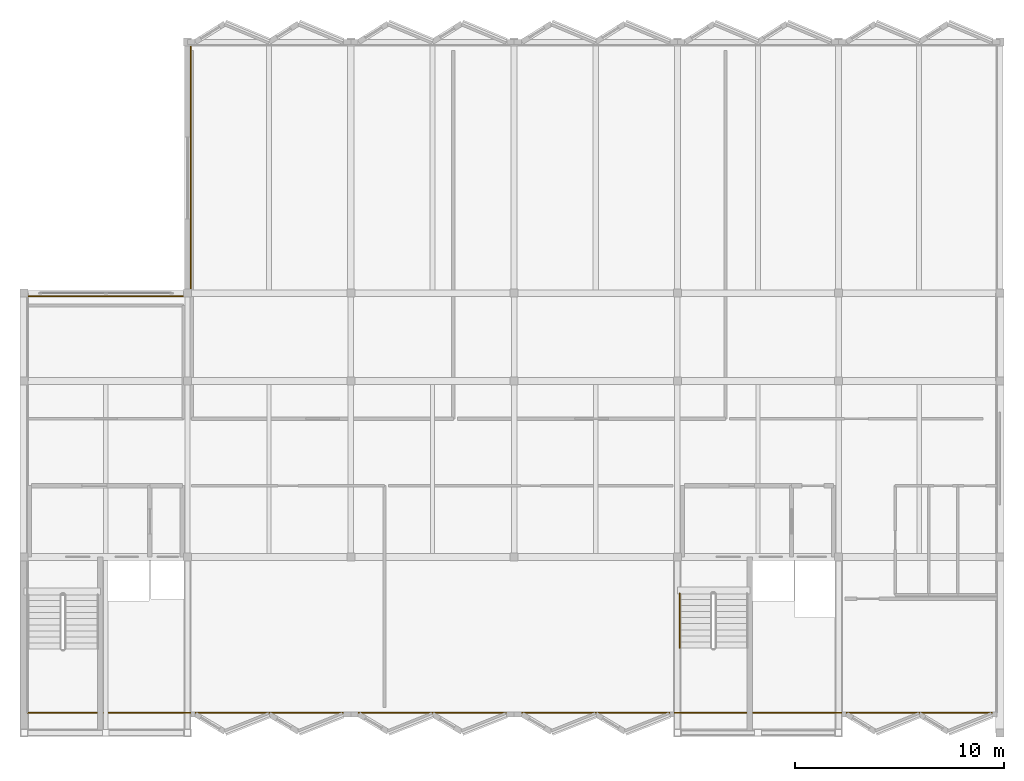
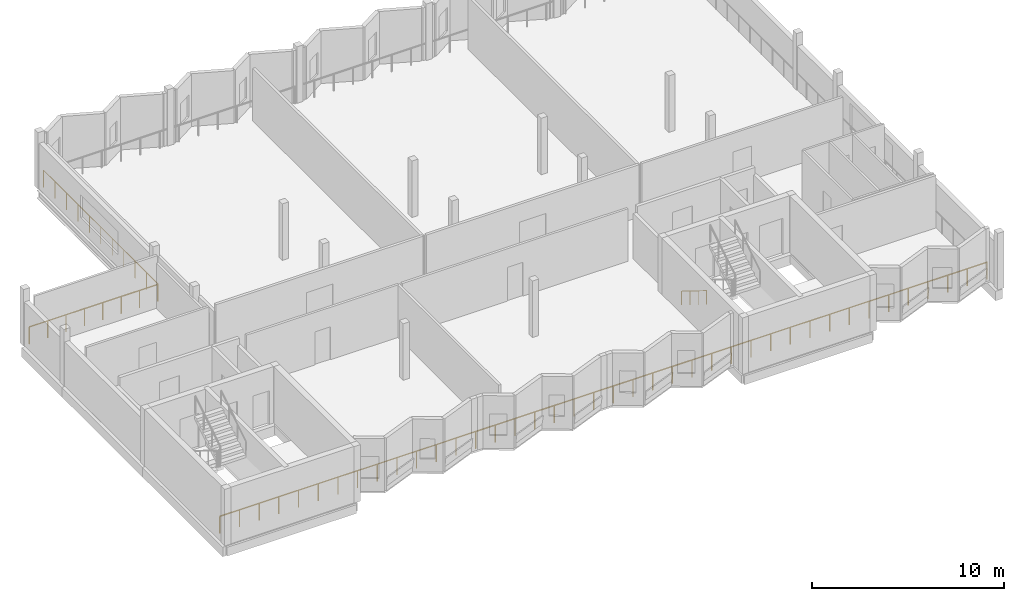
# One storey, part 9 of 11: 4 railings.
"""IFC4 building model written with IfcOpenShell, lengths in metres."""

from ifc_helpers import new_model, si_unit, direction, frame, origin, origin_2d, place, context, subcontext, project, spatial, circle, extrude, material, type_object, element, save


model = new_model("IFC4")

# Units and contexts
model_context = context("Model", 3, precision=1e-05, world=origin(), true_north=direction((0.0, 1.0)))
body_context = subcontext(model_context, "Body", "Model", "MODEL_VIEW")
ifc_project = project(units=[si_unit("LENGTHUNIT", "METRE"), si_unit("AREAUNIT", "SQUARE_METRE"), si_unit("VOLUMEUNIT", "CUBIC_METRE"), si_unit("PLANEANGLEUNIT", "RADIAN"), si_unit("MASSUNIT", "GRAM", prefix="KILO")], contexts=[model_context])

# Site, building, storey
site_placement = place(None, origin())
site = spatial("IfcSite", under=ifc_project, at=site_placement, CompositionType="ELEMENT")
building_placement = place(site_placement, origin())
building = spatial("IfcBuilding", under=site, at=building_placement, Name="Vharandega Faculty of Natural Sciences", CompositionType="ELEMENT")
storey_placement = place(building_placement, frame((0.0, 0.0, 36.0)))
storey = spatial("IfcBuildingStorey", under=building, at=storey_placement, Name="L09", CompositionType="ELEMENT", Elevation=36.0)

# Railings
ifc_material_1 = material(Name="Brushed stainless steel handrail", Category="steel")
railing_type_1 = type_object("IfcRailingType", Name="Stair Tubular Handrail 900", PredefinedType="HANDRAIL", material=ifc_material_1)
railing_1_placement = place(storey_placement, frame((146.110107421875, 70.659912109375, 0.179931640625)))
element("IfcRailing", 1, at=railing_1_placement, inside=storey, type_object=railing_type_1, Name="L09 ST2 stair handrail 1", PredefinedType="HANDRAIL", context=body_context, shape_type="SweptSolid", body=[
    extrude(circle(Radius=0.02392578125, at=origin_2d()), frame((0.0, 0.0, 0.8759765625), z_axis=(0.0, -0.849610693518, 0.52741034258), x_axis=(1.0, 0.0, 0.0)), (0.0, 0.0, 1.0), 3.07177734375),
    extrude(circle(Radius=0.02099609375, at=origin_2d()), origin(), (0.0, 0.0, 1.0), 0.851806640625),
    extrude(circle(Radius=0.02099609375, at=origin_2d()), frame((0.0, -0.869873046875, 0.5400390625)), (0.0, 0.0, 1.0), 0.851806640625),
    extrude(circle(Radius=0.02099609375, at=origin_2d()), frame((0.0, -1.739990234375, 1.080078125)), (0.0, 0.0, 1.0), 0.851806640625),
    extrude(circle(Radius=0.02099609375, at=origin_2d()), frame((0.0, -2.60986328125, 1.6201171875)), (0.0, 0.0, 1.0), 0.851806640625),
])
ifc_material_2 = material(Name="Galvanised painted steel balustrade", Category="steel")
railing_type_2 = type_object("IfcRailingType", Name="Terrace Steel Guardrail 1100", PredefinedType="GUARDRAIL", material=ifc_material_2)
railing_2_placement = place(storey_placement, frame((114.97509765625, 64.949951171875, 0.0)))
element("IfcRailing", 2, at=railing_2_placement, inside=storey, type_object=railing_type_2, Name="Perimeter Sill Guard L09 #1", PredefinedType="GUARDRAIL", context=body_context, shape_type="SweptSolid", body=[
    extrude(circle(Radius=0.02392578125, at=origin_2d()), frame((0.0, 0.0, 1.076171875), z_axis=(1.0, 0.0, 0.0), x_axis=(0.0, 1.0, 0.0)), (0.0, 0.0, 1.0), 46.25),
    extrude(circle(Radius=0.02099609375, at=origin_2d()), origin(), (0.0, 0.0, 1.0), 1.052001953125),
    extrude(circle(Radius=0.02099609375, at=origin_2d()), frame((1.185791015625, 0.0, 0.0)), (0.0, 0.0, 1.0), 1.052001953125),
    extrude(circle(Radius=0.02099609375, at=origin_2d()), frame((2.371826171875, 0.0, 0.0)), (0.0, 0.0, 1.0), 1.052001953125),
    extrude(circle(Radius=0.02099609375, at=origin_2d()), frame((3.5576171875, 0.0, 0.0)), (0.0, 0.0, 1.0), 1.052001953125),
    extrude(circle(Radius=0.02099609375, at=origin_2d()), frame((4.74365234375, 0.0, 0.0)), (0.0, 0.0, 1.0), 1.052001953125),
    extrude(circle(Radius=0.02099609375, at=origin_2d()), frame((5.929443359375, 0.0, 0.0)), (0.0, 0.0, 1.0), 1.052001953125),
    extrude(circle(Radius=0.02099609375, at=origin_2d()), frame((7.115478515625, 0.0, 0.0)), (0.0, 0.0, 1.0), 1.052001953125),
    extrude(circle(Radius=0.02099609375, at=origin_2d()), frame((8.30126953125, 0.0, 0.0)), (0.0, 0.0, 1.0), 1.052001953125),
    extrude(circle(Radius=0.02099609375, at=origin_2d()), frame((9.487060546875, 0.0, 0.0)), (0.0, 0.0, 1.0), 1.052001953125),
    extrude(circle(Radius=0.02099609375, at=origin_2d()), frame((10.673095703125, 0.0, 0.0)), (0.0, 0.0, 1.0), 1.052001953125),
    extrude(circle(Radius=0.02099609375, at=origin_2d()), frame((11.85888671875, 0.0, 0.0)), (0.0, 0.0, 1.0), 1.052001953125),
    extrude(circle(Radius=0.02099609375, at=origin_2d()), frame((13.044921875, 0.0, 0.0)), (0.0, 0.0, 1.0), 1.052001953125),
    extrude(circle(Radius=0.02099609375, at=origin_2d()), frame((14.230712890625, 0.0, 0.0)), (0.0, 0.0, 1.0), 1.052001953125),
    extrude(circle(Radius=0.02099609375, at=origin_2d()), frame((15.416748046875, 0.0, 0.0)), (0.0, 0.0, 1.0), 1.052001953125),
    extrude(circle(Radius=0.02099609375, at=origin_2d()), frame((16.6025390625, 0.0, 0.0)), (0.0, 0.0, 1.0), 1.052001953125),
    extrude(circle(Radius=0.02099609375, at=origin_2d()), frame((17.78857421875, 0.0, 0.0)), (0.0, 0.0, 1.0), 1.052001953125),
    extrude(circle(Radius=0.02099609375, at=origin_2d()), frame((18.974365234375, 0.0, 0.0)), (0.0, 0.0, 1.0), 1.052001953125),
    extrude(circle(Radius=0.02099609375, at=origin_2d()), frame((20.16015625, 0.0, 0.0)), (0.0, 0.0, 1.0), 1.052001953125),
    extrude(circle(Radius=0.02099609375, at=origin_2d()), frame((21.34619140625, 0.0, 0.0)), (0.0, 0.0, 1.0), 1.052001953125),
    extrude(circle(Radius=0.02099609375, at=origin_2d()), frame((22.531982421875, 0.0, 0.0)), (0.0, 0.0, 1.0), 1.052001953125),
    extrude(circle(Radius=0.02099609375, at=origin_2d()), frame((23.718017578125, 0.0, 0.0)), (0.0, 0.0, 1.0), 1.052001953125),
    extrude(circle(Radius=0.02099609375, at=origin_2d()), frame((24.90380859375, 0.0, 0.0)), (0.0, 0.0, 1.0), 1.052001953125),
    extrude(circle(Radius=0.02099609375, at=origin_2d()), frame((26.08984375, 0.0, 0.0)), (0.0, 0.0, 1.0), 1.052001953125),
    extrude(circle(Radius=0.02099609375, at=origin_2d()), frame((27.275634765625, 0.0, 0.0)), (0.0, 0.0, 1.0), 1.052001953125),
    extrude(circle(Radius=0.02099609375, at=origin_2d()), frame((28.46142578125, 0.0, 0.0)), (0.0, 0.0, 1.0), 1.052001953125),
    extrude(circle(Radius=0.02099609375, at=origin_2d()), frame((29.6474609375, 0.0, 0.0)), (0.0, 0.0, 1.0), 1.052001953125),
    extrude(circle(Radius=0.02099609375, at=origin_2d()), frame((30.833251953125, 0.0, 0.0)), (0.0, 0.0, 1.0), 1.052001953125),
    extrude(circle(Radius=0.02099609375, at=origin_2d()), frame((32.019287109375, 0.0, 0.0)), (0.0, 0.0, 1.0), 1.052001953125),
    extrude(circle(Radius=0.02099609375, at=origin_2d()), frame((33.205078125, 0.0, 0.0)), (0.0, 0.0, 1.0), 1.052001953125),
    extrude(circle(Radius=0.02099609375, at=origin_2d()), frame((34.39111328125, 0.0, 0.0)), (0.0, 0.0, 1.0), 1.052001953125),
    extrude(circle(Radius=0.02099609375, at=origin_2d()), frame((35.576904296875, 0.0, 0.0)), (0.0, 0.0, 1.0), 1.052001953125),
    extrude(circle(Radius=0.02099609375, at=origin_2d()), frame((36.762939453125, 0.0, 0.0)), (0.0, 0.0, 1.0), 1.052001953125),
    extrude(circle(Radius=0.02099609375, at=origin_2d()), frame((37.94873046875, 0.0, 0.0)), (0.0, 0.0, 1.0), 1.052001953125),
    extrude(circle(Radius=0.02099609375, at=origin_2d()), frame((39.134521484375, 0.0, 0.0)), (0.0, 0.0, 1.0), 1.052001953125),
    extrude(circle(Radius=0.02099609375, at=origin_2d()), frame((40.320556640625, 0.0, 0.0)), (0.0, 0.0, 1.0), 1.052001953125),
    extrude(circle(Radius=0.02099609375, at=origin_2d()), frame((41.50634765625, 0.0, 0.0)), (0.0, 0.0, 1.0), 1.052001953125),
    extrude(circle(Radius=0.02099609375, at=origin_2d()), frame((42.6923828125, 0.0, 0.0)), (0.0, 0.0, 1.0), 1.052001953125),
    extrude(circle(Radius=0.02099609375, at=origin_2d()), frame((43.878173828125, 0.0, 0.0)), (0.0, 0.0, 1.0), 1.052001953125),
    extrude(circle(Radius=0.02099609375, at=origin_2d()), frame((45.064208984375, 0.0, 0.0)), (0.0, 0.0, 1.0), 1.052001953125),
    extrude(circle(Radius=0.02099609375, at=origin_2d()), frame((46.25, 0.0, 0.0)), (0.0, 0.0, 1.0), 1.052001953125),
])
railing_3_placement = place(storey_placement, frame((122.75, 96.824951171875, 0.0)))
element("IfcRailing", 3, at=railing_3_placement, inside=storey, type_object=railing_type_2, Name="Perimeter Sill Guard L09 #4", PredefinedType="GUARDRAIL", context=body_context, shape_type="SweptSolid", body=[
    extrude(circle(Radius=0.02392578125, at=origin_2d()), frame((0.0, 0.0, 1.076171875), z_axis=(0.0, -1.0, 0.0), x_axis=(1.0, 0.0, 0.0)), (0.0, 0.0, 1.0), 11.949951171875),
    extrude(circle(Radius=0.02099609375, at=origin_2d()), origin(), (0.0, 0.0, 1.0), 1.052001953125),
    extrude(circle(Radius=0.02099609375, at=origin_2d()), frame((0.0, -1.195068359375, 0.0)), (0.0, 0.0, 1.0), 1.052001953125),
    extrude(circle(Radius=0.02099609375, at=origin_2d()), frame((0.0, -2.389892578125, 0.0)), (0.0, 0.0, 1.0), 1.052001953125),
    extrude(circle(Radius=0.02099609375, at=origin_2d()), frame((0.0, -3.5849609375, 0.0)), (0.0, 0.0, 1.0), 1.052001953125),
    extrude(circle(Radius=0.02099609375, at=origin_2d()), frame((0.0, -4.780029296875, 0.0)), (0.0, 0.0, 1.0), 1.052001953125),
    extrude(circle(Radius=0.02099609375, at=origin_2d()), frame((0.0, -5.97509765625, 0.0)), (0.0, 0.0, 1.0), 1.052001953125),
    extrude(circle(Radius=0.02099609375, at=origin_2d()), frame((0.0, -7.169921875, 0.0)), (0.0, 0.0, 1.0), 1.052001953125),
    extrude(circle(Radius=0.02099609375, at=origin_2d()), frame((0.0, -8.364990234375, 0.0)), (0.0, 0.0, 1.0), 1.052001953125),
    extrude(circle(Radius=0.02099609375, at=origin_2d()), frame((0.0, -9.56005859375, 0.0)), (0.0, 0.0, 1.0), 1.052001953125),
    extrude(circle(Radius=0.02099609375, at=origin_2d()), frame((0.0, -10.7548828125, 0.0)), (0.0, 0.0, 1.0), 1.052001953125),
    extrude(circle(Radius=0.02099609375, at=origin_2d()), frame((0.0, -11.949951171875, 0.0)), (0.0, 0.0, 1.0), 1.052001953125),
])
railing_4_placement = place(storey_placement, frame((122.72509765625, 84.85009765625, 0.0)))
element("IfcRailing", 4, at=railing_4_placement, inside=storey, type_object=railing_type_2, Name="Perimeter Sill Guard L09 #5", PredefinedType="GUARDRAIL", context=body_context, shape_type="SweptSolid", body=[
    extrude(circle(Radius=0.02392578125, at=origin_2d()), frame((0.0, 0.0, 1.076171875), z_axis=(-1.0, 0.0, 0.0), x_axis=(0.0, -1.0, 0.0)), (0.0, 0.0, 1.0), 7.75),
    extrude(circle(Radius=0.02099609375, at=origin_2d()), origin(), (0.0, 0.0, 1.0), 1.052001953125),
    extrude(circle(Radius=0.02099609375, at=origin_2d()), frame((-1.107177734375, 0.0, 0.0)), (0.0, 0.0, 1.0), 1.052001953125),
    extrude(circle(Radius=0.02099609375, at=origin_2d()), frame((-2.21435546875, 0.0, 0.0)), (0.0, 0.0, 1.0), 1.052001953125),
    extrude(circle(Radius=0.02099609375, at=origin_2d()), frame((-3.321533203125, 0.0, 0.0)), (0.0, 0.0, 1.0), 1.052001953125),
    extrude(circle(Radius=0.02099609375, at=origin_2d()), frame((-4.428466796875, 0.0, 0.0)), (0.0, 0.0, 1.0), 1.052001953125),
    extrude(circle(Radius=0.02099609375, at=origin_2d()), frame((-5.53564453125, 0.0, 0.0)), (0.0, 0.0, 1.0), 1.052001953125),
    extrude(circle(Radius=0.02099609375, at=origin_2d()), frame((-6.642822265625, 0.0, 0.0)), (0.0, 0.0, 1.0), 1.052001953125),
    extrude(circle(Radius=0.02099609375, at=origin_2d()), frame((-7.75, 0.0, 0.0)), (0.0, 0.0, 1.0), 1.052001953125),
])

save(model, "model.ifc")
